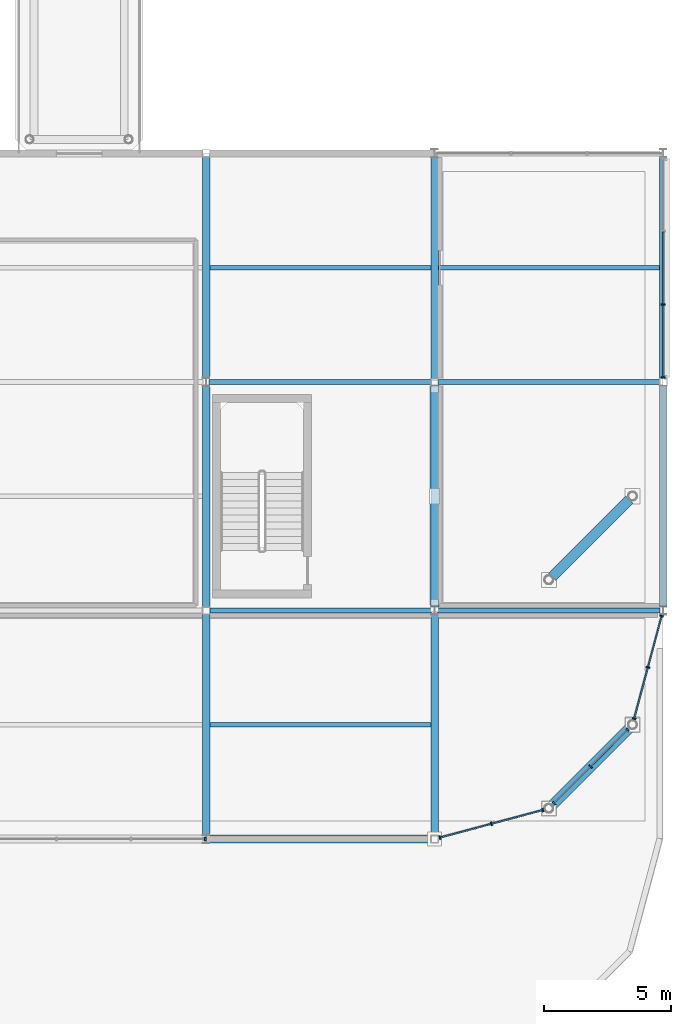
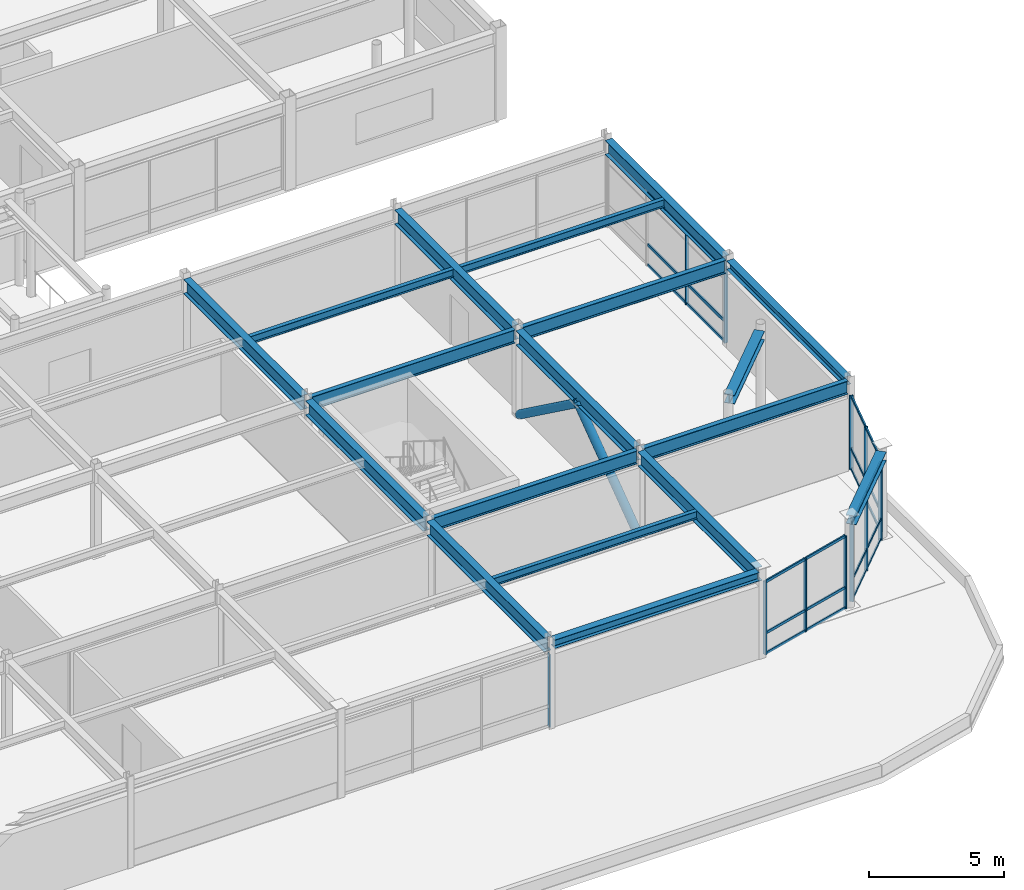
# One storey, part 54 of 108: 38 members, 18 beams, 5 elements without a shape of their own.
"""IFC4 building model written with IfcOpenShell, lengths in metres."""

from ifc_helpers import new_model, si_unit, direction, frame, origin, origin_2d, place, context, subcontext, project, spatial, rectangle, hollow_circle, i_section, extrude, material, material_profile, profile_set, type_object, element, aggregate, save


model = new_model("IFC4")

# Units and contexts
model_context = context("Model", 3, precision=1e-05, world=origin(), true_north=direction((0.0, 1.0)))
body_context = subcontext(model_context, "Body", "Model", "MODEL_VIEW")
ifc_project = project(units=[si_unit("LENGTHUNIT", "METRE"), si_unit("AREAUNIT", "SQUARE_METRE"), si_unit("VOLUMEUNIT", "CUBIC_METRE"), si_unit("PLANEANGLEUNIT", "RADIAN"), si_unit("MASSUNIT", "GRAM", prefix="KILO")], contexts=[model_context])

# Site, building, storey
site_placement = place(None, origin())
site = spatial("IfcSite", under=ifc_project, at=site_placement, CompositionType="ELEMENT")
building_placement = place(site_placement, origin())
building = spatial("IfcBuilding", under=site, at=building_placement, Name="Suzunagisa Mobility Hub", CompositionType="ELEMENT")
storey_placement = place(building_placement, frame((0.0, 0.0, 9.300048828125)))
storey = spatial("IfcBuildingStorey", under=building, at=storey_placement, Name="L02", CompositionType="ELEMENT", Elevation=9.300048828125)

# Curtain wall, members
ifc_material_1 = material(Name="Thermally Broken Anodized Aluminum and Low-E Glazing", Category="aluminium")
curtain_wall_type_1 = type_object("IfcCurtainWallType", Name="Unitised Curtain Wall CW-12 8750x3300", PredefinedType="USERDEFINED", material=ifc_material_1)
curtain_wall_1_placement = place(storey_placement, origin())
curtain_wall_1 = element("IfcCurtainWall", 1, at=curtain_wall_1_placement, inside=storey, type_object=curtain_wall_type_1, Name="L02 Unitised Curtain Wall CW-159", ObjectType="UNITISED CURTAIN WALL", PredefinedType="USERDEFINED")
ifc_material_2 = material(Name="Anodized Aluminum 6063-T6", Category="aluminium")
ifc_material_profile_1 = material_profile(ifc_material_2, rectangle(XDim=0.06494140625, YDim=0.139892578125, at=origin_2d()), Name="TRAN-65x140")
ifc_profile_set_1 = profile_set([ifc_material_profile_1], Name="Anodized Aluminum 6063-T6")
member_type_1 = type_object("IfcMemberType", Name="Curtain Wall Framing CM-01 TRAN-65x140", PredefinedType="USERDEFINED", material=ifc_profile_set_1)
member_1_placement = place(storey_placement, frame((180.0, 27.2080078125, 0.032470703125), z_axis=(0.0, 1.0, 0.0), x_axis=(-1.0, 0.0, 0.0)))
member_1 = element("IfcMember", 2, at=member_1_placement, type_object=member_type_1, Name="Curtain Wall Transom 159-T1.1", ObjectType="TRANSOM", PredefinedType="USERDEFINED", context=body_context, shape_type="SweptSolid", body=[
    extrude(rectangle(XDim=0.06494140625, YDim=0.139892578125, at=origin_2d()), origin(), (0.0, 0.0, 1.0), 2.807373046875),
])
member_2_placement = place(storey_placement, frame((180.0, 27.2080078125, 0.949951171875), z_axis=(0.0, 1.0, 0.0), x_axis=(-1.0, 0.0, 0.0)))
member_2 = element("IfcMember", 3, at=member_2_placement, type_object=member_type_1, Name="Curtain Wall Transom 159-T1.2", ObjectType="TRANSOM", PredefinedType="USERDEFINED", context=body_context, shape_type="SweptSolid", body=[
    extrude(rectangle(XDim=0.06494140625, YDim=0.139892578125, at=origin_2d()), origin(), (0.0, 0.0, 1.0), 2.807373046875),
])
member_3_placement = place(storey_placement, frame((180.0, 27.2080078125, 3.257568359375), z_axis=(0.0, 1.0, 0.0), x_axis=(-1.0, 0.0, 0.0)))
member_3 = element("IfcMember", 4, at=member_3_placement, type_object=member_type_1, Name="Curtain Wall Transom 159-T1.3", ObjectType="TRANSOM", PredefinedType="USERDEFINED", context=body_context, shape_type="SweptSolid", body=[
    extrude(rectangle(XDim=0.06494140625, YDim=0.139892578125, at=origin_2d()), origin(), (0.0, 0.0, 1.0), 2.807373046875),
])
member_4_placement = place(storey_placement, frame((180.0, 30.0712890625, 0.032470703125), z_axis=(0.0, 1.0, 0.0), x_axis=(-1.0, 0.0, 0.0)))
member_4 = element("IfcMember", 5, at=member_4_placement, type_object=member_type_1, Name="Curtain Wall Transom 159-T2.1", ObjectType="TRANSOM", PredefinedType="USERDEFINED", context=body_context, shape_type="SweptSolid", body=[
    extrude(rectangle(XDim=0.06494140625, YDim=0.139892578125, at=origin_2d()), origin(), (0.0, 0.0, 1.0), 2.83740234375),
])
member_5_placement = place(storey_placement, frame((180.0, 30.0712890625, 0.949951171875), z_axis=(0.0, 1.0, 0.0), x_axis=(-1.0, 0.0, 0.0)))
member_5 = element("IfcMember", 6, at=member_5_placement, type_object=member_type_1, Name="Curtain Wall Transom 159-T2.2", ObjectType="TRANSOM", PredefinedType="USERDEFINED", context=body_context, shape_type="SweptSolid", body=[
    extrude(rectangle(XDim=0.06494140625, YDim=0.139892578125, at=origin_2d()), origin(), (0.0, 0.0, 1.0), 2.83740234375),
])
member_6_placement = place(storey_placement, frame((180.0, 30.0712890625, 3.257568359375), z_axis=(0.0, 1.0, 0.0), x_axis=(-1.0, 0.0, 0.0)))
member_6 = element("IfcMember", 7, at=member_6_placement, type_object=member_type_1, Name="Curtain Wall Transom 159-T2.3", ObjectType="TRANSOM", PredefinedType="USERDEFINED", context=body_context, shape_type="SweptSolid", body=[
    extrude(rectangle(XDim=0.06494140625, YDim=0.139892578125, at=origin_2d()), origin(), (0.0, 0.0, 1.0), 2.83740234375),
])

curtain_wall_type_2 = type_object("IfcCurtainWallType", Name="Unitised Curtain Wall CW-06 4250x3300", PredefinedType="USERDEFINED", material=ifc_material_1)
curtain_wall_2_placement = place(storey_placement, origin())
curtain_wall_2 = element("IfcCurtainWall", 8, at=curtain_wall_2_placement, inside=storey, type_object=curtain_wall_type_2, Name="L02 Unitised Curtain Wall CW-156", ObjectType="UNITISED CURTAIN WALL", PredefinedType="USERDEFINED")
ifc_material_profile_2 = material_profile(ifc_material_2, rectangle(XDim=0.06005859375, YDim=0.1201171875, at=origin_2d()), Name="TRAN-60x120")
ifc_profile_set_2 = profile_set([ifc_material_profile_2], Name="Anodized Aluminum 6063-T6")
member_type_2 = type_object("IfcMemberType", Name="Curtain Wall Framing CM-02 TRAN-60x120", PredefinedType="USERDEFINED", material=ifc_profile_set_2)
member_7_placement = place(storey_placement, frame((171.2333984375, 9.0625, 0.030029296875), z_axis=(0.965912839068, 0.258867509208, 0.0), x_axis=(-0.258867509208, 0.965912839068, 0.0)))
member_7 = element("IfcMember", 9, at=member_7_placement, type_object=member_type_2, Name="Curtain Wall Transom 156-T1.1", ObjectType="TRANSOM", PredefinedType="USERDEFINED", context=body_context, shape_type="SweptSolid", body=[
    extrude(rectangle(XDim=0.06005859375, YDim=0.1201171875, at=origin_2d()), origin(), (0.0, 0.0, 1.0), 2.042724609375),
])
member_8_placement = place(storey_placement, frame((171.2333984375, 9.0625, 0.949951171875), z_axis=(0.965912839068, 0.258867509208, 0.0), x_axis=(-0.258867509208, 0.965912839068, 0.0)))
member_8 = element("IfcMember", 10, at=member_8_placement, type_object=member_type_2, Name="Curtain Wall Transom 156-T1.2", ObjectType="TRANSOM", PredefinedType="USERDEFINED", context=body_context, shape_type="SweptSolid", body=[
    extrude(rectangle(XDim=0.06005859375, YDim=0.1201171875, at=origin_2d()), origin(), (0.0, 0.0, 1.0), 2.042724609375),
])
member_9_placement = place(storey_placement, frame((171.2333984375, 9.0625, 3.260009765625), z_axis=(0.965912839068, 0.258867509208, 0.0), x_axis=(-0.258867509208, 0.965912839068, 0.0)))
member_9 = element("IfcMember", 11, at=member_9_placement, type_object=member_type_2, Name="Curtain Wall Transom 156-T1.3", ObjectType="TRANSOM", PredefinedType="USERDEFINED", context=body_context, shape_type="SweptSolid", body=[
    extrude(rectangle(XDim=0.06005859375, YDim=0.1201171875, at=origin_2d()), origin(), (0.0, 0.0, 1.0), 2.042724609375),
])
member_10_placement = place(storey_placement, frame((173.260498046875, 9.605712890625, 0.030029296875), z_axis=(0.965912839068, 0.258867509208, 0.0), x_axis=(-0.258867509208, 0.965912839068, 0.0)))
member_10 = element("IfcMember", 12, at=member_10_placement, type_object=member_type_2, Name="Curtain Wall Transom 156-T2.1", ObjectType="TRANSOM", PredefinedType="USERDEFINED", context=body_context, shape_type="SweptSolid", body=[
    extrude(rectangle(XDim=0.06005859375, YDim=0.1201171875, at=origin_2d()), origin(), (0.0, 0.0, 1.0), 2.042724609375),
])
member_11_placement = place(storey_placement, frame((173.260498046875, 9.605712890625, 0.949951171875), z_axis=(0.965912839068, 0.258867509208, 0.0), x_axis=(-0.258867509208, 0.965912839068, 0.0)))
member_11 = element("IfcMember", 13, at=member_11_placement, type_object=member_type_2, Name="Curtain Wall Transom 156-T2.2", ObjectType="TRANSOM", PredefinedType="USERDEFINED", context=body_context, shape_type="SweptSolid", body=[
    extrude(rectangle(XDim=0.06005859375, YDim=0.1201171875, at=origin_2d()), origin(), (0.0, 0.0, 1.0), 2.042724609375),
])
member_12_placement = place(storey_placement, frame((173.260498046875, 9.605712890625, 3.260009765625), z_axis=(0.965912839068, 0.258867509208, 0.0), x_axis=(-0.258867509208, 0.965912839068, 0.0)))
member_12 = element("IfcMember", 14, at=member_12_placement, type_object=member_type_2, Name="Curtain Wall Transom 156-T2.3", ObjectType="TRANSOM", PredefinedType="USERDEFINED", context=body_context, shape_type="SweptSolid", body=[
    extrude(rectangle(XDim=0.06005859375, YDim=0.1201171875, at=origin_2d()), origin(), (0.0, 0.0, 1.0), 2.042724609375),
])

curtain_wall_type_3 = type_object("IfcCurtainWallType", Name="Unitised Curtain Wall CW-24 4250x3500", PredefinedType="USERDEFINED", material=ifc_material_1)
curtain_wall_3_placement = place(storey_placement, origin())
curtain_wall_3 = element("IfcCurtainWall", 15, at=curtain_wall_3_placement, inside=storey, type_object=curtain_wall_type_3, Name="L02 Unitised Curtain Wall CW-157", ObjectType="UNITISED CURTAIN WALL", PredefinedType="USERDEFINED")
member_13_placement = place(storey_placement, frame((175.71875, 10.424560546875, 0.030029296875), z_axis=(0.707106781187, 0.707106781187, 0.0), x_axis=(-0.707106781187, 0.707106781187, 0.0)))
member_13 = element("IfcMember", 16, at=member_13_placement, type_object=member_type_2, Name="Curtain Wall Transom 157-T1.1", ObjectType="TRANSOM", PredefinedType="USERDEFINED", context=body_context, shape_type="SweptSolid", body=[
    extrude(rectangle(XDim=0.06005859375, YDim=0.1201171875, at=origin_2d()), origin(), (0.0, 0.0, 1.0), 1.991943359375),
])
member_14_placement = place(storey_placement, frame((175.71875, 10.424560546875, 0.949951171875), z_axis=(0.707106781187, 0.707106781187, 0.0), x_axis=(-0.707106781187, 0.707106781187, 0.0)))
member_14 = element("IfcMember", 17, at=member_14_placement, type_object=member_type_2, Name="Curtain Wall Transom 157-T1.2", ObjectType="TRANSOM", PredefinedType="USERDEFINED", context=body_context, shape_type="SweptSolid", body=[
    extrude(rectangle(XDim=0.06005859375, YDim=0.1201171875, at=origin_2d()), origin(), (0.0, 0.0, 1.0), 1.991943359375),
])
member_15_placement = place(storey_placement, frame((175.71875, 10.424560546875, 3.510009765625), z_axis=(0.707106781187, 0.707106781187, 0.0), x_axis=(-0.707106781187, 0.707106781187, 0.0)))
member_15 = element("IfcMember", 18, at=member_15_placement, type_object=member_type_2, Name="Curtain Wall Transom 157-T1.3", ObjectType="TRANSOM", PredefinedType="USERDEFINED", context=body_context, shape_type="SweptSolid", body=[
    extrude(rectangle(XDim=0.06005859375, YDim=0.1201171875, at=origin_2d()), origin(), (0.0, 0.0, 1.0), 1.991943359375),
])
member_16_placement = place(storey_placement, frame((177.1669921875, 11.872802734375, 0.030029296875), z_axis=(0.707106781187, 0.707106781187, 0.0), x_axis=(-0.707106781187, 0.707106781187, 0.0)))
member_16 = element("IfcMember", 19, at=member_16_placement, type_object=member_type_2, Name="Curtain Wall Transom 157-T2.1", ObjectType="TRANSOM", PredefinedType="USERDEFINED", context=body_context, shape_type="SweptSolid", body=[
    extrude(rectangle(XDim=0.06005859375, YDim=0.1201171875, at=origin_2d()), origin(), (0.0, 0.0, 1.0), 1.991943359375),
])
member_17_placement = place(storey_placement, frame((177.1669921875, 11.872802734375, 0.949951171875), z_axis=(0.707106781187, 0.707106781187, 0.0), x_axis=(-0.707106781187, 0.707106781187, 0.0)))
member_17 = element("IfcMember", 20, at=member_17_placement, type_object=member_type_2, Name="Curtain Wall Transom 157-T2.2", ObjectType="TRANSOM", PredefinedType="USERDEFINED", context=body_context, shape_type="SweptSolid", body=[
    extrude(rectangle(XDim=0.06005859375, YDim=0.1201171875, at=origin_2d()), origin(), (0.0, 0.0, 1.0), 1.991943359375),
])
member_18_placement = place(storey_placement, frame((177.1669921875, 11.872802734375, 3.510009765625), z_axis=(0.707106781187, 0.707106781187, 0.0), x_axis=(-0.707106781187, 0.707106781187, 0.0)))
member_18 = element("IfcMember", 21, at=member_18_placement, type_object=member_type_2, Name="Curtain Wall Transom 157-T2.3", ObjectType="TRANSOM", PredefinedType="USERDEFINED", context=body_context, shape_type="SweptSolid", body=[
    extrude(rectangle(XDim=0.06005859375, YDim=0.1201171875, at=origin_2d()), origin(), (0.0, 0.0, 1.0), 1.991943359375),
])

curtain_wall_4_placement = place(storey_placement, origin())
curtain_wall_4 = element("IfcCurtainWall", 22, at=curtain_wall_4_placement, inside=storey, type_object=curtain_wall_type_2, Name="L02 Unitised Curtain Wall CW-158", ObjectType="UNITISED CURTAIN WALL", PredefinedType="USERDEFINED")
member_19_placement = place(storey_placement, frame((178.865478515625, 13.766357421875, 0.030029296875), z_axis=(0.258863938159, 0.965913796113, 0.0), x_axis=(-0.965913796113, 0.258863938159, 0.0)))
member_19 = element("IfcMember", 23, at=member_19_placement, type_object=member_type_2, Name="Curtain Wall Transom 158-T1.1", ObjectType="TRANSOM", PredefinedType="USERDEFINED", context=body_context, shape_type="SweptSolid", body=[
    extrude(rectangle(XDim=0.06005859375, YDim=0.1201171875, at=origin_2d()), origin(), (0.0, 0.0, 1.0), 2.0361328125),
])
member_20_placement = place(storey_placement, frame((178.865478515625, 13.766357421875, 0.949951171875), z_axis=(0.258863938159, 0.965913796113, 0.0), x_axis=(-0.965913796113, 0.258863938159, 0.0)))
member_20 = element("IfcMember", 24, at=member_20_placement, type_object=member_type_2, Name="Curtain Wall Transom 158-T1.2", ObjectType="TRANSOM", PredefinedType="USERDEFINED", context=body_context, shape_type="SweptSolid", body=[
    extrude(rectangle(XDim=0.06005859375, YDim=0.1201171875, at=origin_2d()), origin(), (0.0, 0.0, 1.0), 2.0361328125),
])
member_21_placement = place(storey_placement, frame((178.865478515625, 13.766357421875, 3.31005859375), z_axis=(0.258863938159, 0.965913796113, 0.0), x_axis=(-0.965913796113, 0.258863938159, 0.0)))
member_21 = element("IfcMember", 25, at=member_21_placement, type_object=member_type_2, Name="Curtain Wall Transom 158-T1.3", ObjectType="TRANSOM", PredefinedType="USERDEFINED", context=body_context, shape_type="SweptSolid", body=[
    extrude(rectangle(XDim=0.06005859375, YDim=0.1201171875, at=origin_2d()), origin(), (0.0, 0.0, 1.0), 2.0361328125),
])
member_22_placement = place(storey_placement, frame((179.406982421875, 15.787109375, 0.030029296875), z_axis=(0.258863938159, 0.965913796113, 0.0), x_axis=(-0.965913796113, 0.258863938159, 0.0)))
member_22 = element("IfcMember", 26, at=member_22_placement, type_object=member_type_2, Name="Curtain Wall Transom 158-T2.1", ObjectType="TRANSOM", PredefinedType="USERDEFINED", context=body_context, shape_type="SweptSolid", body=[
    extrude(rectangle(XDim=0.06005859375, YDim=0.1201171875, at=origin_2d()), origin(), (0.0, 0.0, 1.0), 2.0361328125),
])
member_23_placement = place(storey_placement, frame((179.406982421875, 15.787109375, 0.949951171875), z_axis=(0.258863938159, 0.965913796113, 0.0), x_axis=(-0.965913796113, 0.258863938159, 0.0)))
member_23 = element("IfcMember", 27, at=member_23_placement, type_object=member_type_2, Name="Curtain Wall Transom 158-T2.2", ObjectType="TRANSOM", PredefinedType="USERDEFINED", context=body_context, shape_type="SweptSolid", body=[
    extrude(rectangle(XDim=0.06005859375, YDim=0.1201171875, at=origin_2d()), origin(), (0.0, 0.0, 1.0), 2.0361328125),
])
member_24_placement = place(storey_placement, frame((179.406982421875, 15.787109375, 3.31005859375), z_axis=(0.258863938159, 0.965913796113, 0.0), x_axis=(-0.965913796113, 0.258863938159, 0.0)))
member_24 = element("IfcMember", 28, at=member_24_placement, type_object=member_type_2, Name="Curtain Wall Transom 158-T2.3", ObjectType="TRANSOM", PredefinedType="USERDEFINED", context=body_context, shape_type="SweptSolid", body=[
    extrude(rectangle(XDim=0.06005859375, YDim=0.1201171875, at=origin_2d()), origin(), (0.0, 0.0, 1.0), 2.0361328125),
])

# Curtain wall, member
curtain_wall_5_placement = place(storey_placement, origin())
curtain_wall_5 = element("IfcCurtainWall", 29, at=curtain_wall_5_placement, inside=storey, type_object=curtain_wall_type_1, Name="L02 Unitised Curtain Wall CW-155", ObjectType="UNITISED CURTAIN WALL", PredefinedType="USERDEFINED")
ifc_material_profile_3 = material_profile(ifc_material_2, rectangle(XDim=0.06005859375, YDim=0.14990234375, at=origin_2d()), Name="MULL-60x150")
ifc_profile_set_3 = profile_set([ifc_material_profile_3], Name="Anodized Aluminum 6063-T6")
member_type_3 = type_object("IfcMemberType", Name="Curtain Wall Framing CM-03 MULL-60x150", PredefinedType="MULLION", material=ifc_profile_set_3)
member_25_placement = place(storey_placement, frame((161.965576171875, 9.0, 0.0), z_axis=(0.0, 0.0, 1.0), x_axis=(1.0, 0.0, 0.0)))
member_25 = element("IfcMember", 30, at=member_25_placement, type_object=member_type_3, Name="Curtain Wall Mullion 155-M4", PredefinedType="MULLION", context=body_context, shape_type="SweptSolid", body=[
    extrude(rectangle(XDim=0.06005859375, YDim=0.14990234375, at=origin_2d()), origin(), (0.0, 0.0, 1.0), 3.2900390625),
])
aggregate(curtain_wall_5, [member_25])

# Member
member_26_placement = place(storey_placement, frame((171.20654296875, 9.055419921875, 0.0), z_axis=(0.0, 0.0, 1.0), x_axis=(0.96592351662, 0.258827664752, 0.0)))
member_26 = element("IfcMember", 31, at=member_26_placement, type_object=member_type_3, Name="Curtain Wall Mullion 156-M1", PredefinedType="MULLION", context=body_context, shape_type="SweptSolid", body=[
    extrude(rectangle(XDim=0.06005859375, YDim=0.14990234375, at=origin_2d()), origin(), (0.0, 0.0, 1.0), 3.2900390625),
])

member_27_placement = place(storey_placement, frame((173.233642578125, 9.598388671875, 0.0), z_axis=(0.0, 0.0, 1.0), x_axis=(0.96592351662, 0.258827664752, 0.0)))
member_27 = element("IfcMember", 32, at=member_27_placement, type_object=member_type_3, Name="Curtain Wall Mullion 156-M2", PredefinedType="MULLION", context=body_context, shape_type="SweptSolid", body=[
    extrude(rectangle(XDim=0.06005859375, YDim=0.14990234375, at=origin_2d()), origin(), (0.0, 0.0, 1.0), 3.2900390625),
])

member_28_placement = place(storey_placement, frame((175.2607421875, 10.1416015625, 0.0), z_axis=(0.0, 0.0, 1.0), x_axis=(0.96592351662, 0.258827664752, 0.0)))
member_28 = element("IfcMember", 33, at=member_28_placement, type_object=member_type_3, Name="Curtain Wall Mullion 156-M3", PredefinedType="MULLION", context=body_context, shape_type="SweptSolid", body=[
    extrude(rectangle(XDim=0.06005859375, YDim=0.14990234375, at=origin_2d()), origin(), (0.0, 0.0, 1.0), 3.2900390625),
])

aggregate(curtain_wall_2, [member_26, member_27, member_28, member_7, member_8, member_9, member_10, member_11, member_12])

member_29_placement = place(storey_placement, frame((175.698974609375, 10.40478515625, 0.0), z_axis=(0.0, 0.0, 1.0), x_axis=(0.707106781187, 0.707106781187, 0.0)))
member_29 = element("IfcMember", 34, at=member_29_placement, type_object=member_type_3, Name="Curtain Wall Mullion 157-M1", PredefinedType="MULLION", context=body_context, shape_type="SweptSolid", body=[
    extrude(rectangle(XDim=0.06005859375, YDim=0.14990234375, at=origin_2d()), origin(), (0.0, 0.0, 1.0), 3.5400390625),
])

member_30_placement = place(storey_placement, frame((177.147216796875, 11.852783203125, 0.0), z_axis=(0.0, 0.0, 1.0), x_axis=(0.707106781187, 0.707106781187, 0.0)))
member_30 = element("IfcMember", 35, at=member_30_placement, type_object=member_type_3, Name="Curtain Wall Mullion 157-M2", PredefinedType="MULLION", context=body_context, shape_type="SweptSolid", body=[
    extrude(rectangle(XDim=0.06005859375, YDim=0.14990234375, at=origin_2d()), origin(), (0.0, 0.0, 1.0), 3.5400390625),
])

member_31_placement = place(storey_placement, frame((178.59521484375, 13.301025390625, 0.0), z_axis=(0.0, 0.0, 1.0), x_axis=(0.707106781187, 0.707106781187, 0.0)))
member_31 = element("IfcMember", 36, at=member_31_placement, type_object=member_type_3, Name="Curtain Wall Mullion 157-M3", PredefinedType="MULLION", context=body_context, shape_type="SweptSolid", body=[
    extrude(rectangle(XDim=0.06005859375, YDim=0.14990234375, at=origin_2d()), origin(), (0.0, 0.0, 1.0), 3.5400390625),
])

aggregate(curtain_wall_3, [member_29, member_30, member_31, member_13, member_14, member_15, member_16, member_17, member_18])

member_32_placement = place(storey_placement, frame((178.8583984375, 13.7392578125, 0.0), z_axis=(0.0, 0.0, 1.0), x_axis=(0.258810670101, 0.965928070325, 0.0)))
member_32 = element("IfcMember", 37, at=member_32_placement, type_object=member_type_3, Name="Curtain Wall Mullion 158-M1", PredefinedType="MULLION", context=body_context, shape_type="SweptSolid", body=[
    extrude(rectangle(XDim=0.06005859375, YDim=0.14990234375, at=origin_2d()), origin(), (0.0, 0.0, 1.0), 3.33984375),
])

member_33_placement = place(storey_placement, frame((179.39990234375, 15.76025390625, 0.0), z_axis=(0.0, 0.0, 1.0), x_axis=(0.258810670101, 0.965928070325, 0.0)))
member_33 = element("IfcMember", 38, at=member_33_placement, type_object=member_type_3, Name="Curtain Wall Mullion 158-M2", PredefinedType="MULLION", context=body_context, shape_type="SweptSolid", body=[
    extrude(rectangle(XDim=0.06005859375, YDim=0.14990234375, at=origin_2d()), origin(), (0.0, 0.0, 1.0), 3.33984375),
])

member_34_placement = place(storey_placement, frame((179.94140625, 17.781005859375, 0.0), z_axis=(0.0, 0.0, 1.0), x_axis=(0.258810670101, 0.965928070325, 0.0)))
member_34 = element("IfcMember", 39, at=member_34_placement, type_object=member_type_3, Name="Curtain Wall Mullion 158-M3", PredefinedType="MULLION", context=body_context, shape_type="SweptSolid", body=[
    extrude(rectangle(XDim=0.06005859375, YDim=0.14990234375, at=origin_2d()), origin(), (0.0, 0.0, 1.0), 3.33984375),
])

aggregate(curtain_wall_4, [member_32, member_33, member_34, member_19, member_20, member_21, member_22, member_23, member_24])

member_35_placement = place(storey_placement, frame((180.0, 27.179931640625, 0.0), z_axis=(0.0, 0.0, 1.0), x_axis=(0.0, 1.0, 0.0)))
member_35 = element("IfcMember", 40, at=member_35_placement, type_object=member_type_3, Name="Curtain Wall Mullion 159-M1", PredefinedType="MULLION", context=body_context, shape_type="SweptSolid", body=[
    extrude(rectangle(XDim=0.06005859375, YDim=0.14990234375, at=origin_2d()), origin(), (0.0, 0.0, 1.0), 3.2900390625),
])

member_36_placement = place(storey_placement, frame((180.0, 30.043212890625, 0.0), z_axis=(0.0, 0.0, 1.0), x_axis=(0.0, 1.0, 0.0)))
member_36 = element("IfcMember", 41, at=member_36_placement, type_object=member_type_3, Name="Curtain Wall Mullion 159-M2", PredefinedType="MULLION", context=body_context, shape_type="SweptSolid", body=[
    extrude(rectangle(XDim=0.06005859375, YDim=0.14990234375, at=origin_2d()), origin(), (0.0, 0.0, 1.0), 3.2900390625),
])

aggregate(curtain_wall_1, [member_35, member_36, member_1, member_2, member_3, member_4, member_5, member_6])

# Members
ifc_material_3 = material(Name="Steel SN490B", Category="steel")
ifc_material_profile_4 = material_profile(ifc_material_3, hollow_circle(Radius=0.177734375, WallThickness=0.0126953125, at=origin_2d()), Name="CHS-355.6x12.7")
ifc_profile_set_4 = profile_set([ifc_material_profile_4], Name="Steel SN490B")
member_type_4 = type_object("IfcMemberType", Name="Roof Truss and Brace Member MB-03 CHS-355.6x12.7", PredefinedType="BRACE", material=ifc_profile_set_4)
member_37_placement = place(storey_placement, frame((171.0, 18.18994140625, 0.119873046875), z_axis=(0.0, 0.806824697029, 0.590790917554), x_axis=(-1.0, 0.0, 0.0)))
element("IfcMember", 42, at=member_37_placement, inside=storey, type_object=member_type_4, Name="L02 Concentric Lateral Brace BR-57", PredefinedType="BRACE", context=body_context, shape_type="SweptSolid", body=[
    extrude(hollow_circle(Radius=0.177734375, WallThickness=0.0126953125, at=origin_2d()), origin(), (0.0, 0.0, 1.0), 5.342041015625),
])
member_38_placement = place(storey_placement, frame((171.0, 26.830078125, 0.119873046875), z_axis=(0.0, -0.80812681467, 0.589008532546), x_axis=(1.0, 0.0, 0.0)))
element("IfcMember", 43, at=member_38_placement, inside=storey, type_object=member_type_4, Name="L02 Concentric Lateral Brace BR-58", PredefinedType="BRACE", context=body_context, shape_type="SweptSolid", body=[
    extrude(hollow_circle(Radius=0.177734375, WallThickness=0.0126953125, at=origin_2d()), origin(), (0.0, 0.0, 1.0), 5.358154296875),
])

# Beams
ifc_material_4 = material(Name="Steel SN400B", Category="steel")
ifc_material_profile_5 = material_profile(ifc_material_4, i_section(OverallWidth=0.175048828125, OverallDepth=0.35009765625, WebThickness=0.007080078125, FlangeThickness=0.010986328125, FilletRadius=0.008056640625, at=origin_2d()), Name="H-350x175x7x11")
ifc_profile_set_5 = profile_set([ifc_material_profile_5], Name="Steel SN400B")
beam_type_1 = type_object("IfcBeamType", Name="Steel Beam BM-03 H-350x175x7x11", PredefinedType="JOIST", material=ifc_profile_set_5)
for number, where, z_axis, x_axis, name in (
    (44, (162.14990234375, 31.5, 3.77490234375), (1.0, 0.0, 0.0), (0.0, 1.0, 0.0), "L02 Composite Floor Joist J-1566"),
    (45, (171.14990234375, 31.5, 3.77490234375), (1.0, 0.0, 0.0), (0.0, 1.0, 0.0), "L02 Composite Floor Joist J-1567"),
    (46, (162.14990234375, 13.5, 3.764892578125), (1.0, 0.0, 0.0), (0.0, 1.0, 0.0), "L02 Composite Floor Joist J-1583"),
):
    element("IfcBeam", number, at=place(storey_placement, frame(where, z_axis=z_axis, x_axis=x_axis)), inside=storey, type_object=beam_type_1, Name=name, PredefinedType="JOIST", context=body_context, shape_type="SweptSolid", body=[
        extrude(i_section(OverallWidth=0.175048828125, OverallDepth=0.35009765625, WebThickness=0.007080078125, FlangeThickness=0.010986328125, FilletRadius=0.008056640625, at=origin_2d()), origin(), (0.0, 0.0, 1.0), 8.7001953125),
    ])
ifc_material_profile_6 = material_profile(ifc_material_3, i_section(OverallWidth=0.199951171875, OverallDepth=0.60009765625, WebThickness=0.010986328125, FlangeThickness=0.01708984375, FilletRadius=0.012939453125, at=origin_2d()), Name="H-600x200x11x17")
ifc_profile_set_6 = profile_set([ifc_material_profile_6], Name="Steel SN490B")
beam_type_2 = type_object("IfcBeamType", Name="Steel Beam BM-07 H-600x200x11x17", PredefinedType="BEAM", material=ifc_profile_set_6)
for number, where, z_axis, x_axis, name in (
    (47, (162.14599609375, 18.0, 3.639892578125), (1.0, 0.0, 0.0), (0.0, 1.0, 0.0), "L02 Primary Girder GX-1538"),
    (48, (162.12109375, 27.0, 3.64990234375), (1.0, 0.0, 0.0), (0.0, 1.0, 0.0), "L02 Primary Girder GX-1542"),
):
    element("IfcBeam", number, at=place(storey_placement, frame(where, z_axis=z_axis, x_axis=x_axis)), inside=storey, type_object=beam_type_2, Name=name, PredefinedType="BEAM", context=body_context, shape_type="SweptSolid", body=[
        extrude(i_section(OverallWidth=0.199951171875, OverallDepth=0.60009765625, WebThickness=0.010986328125, FlangeThickness=0.01708984375, FilletRadius=0.012939453125, at=origin_2d()), origin(), (0.0, 0.0, 1.0), 8.73291015625),
    ])
beam_1_placement = place(storey_placement, frame((171.14599609375, 27.0, 3.639892578125), z_axis=(1.0, 0.0, 0.0), x_axis=(0.0, 1.0, 0.0)))
element("IfcBeam", 49, at=beam_1_placement, inside=storey, type_object=beam_type_2, Name="L02 Primary Girder GX-1543", PredefinedType="BEAM", context=body_context, shape_type="SweptSolid", body=[
    extrude(i_section(OverallWidth=0.199951171875, OverallDepth=0.60009765625, WebThickness=0.010986328125, FlangeThickness=0.01708984375, FilletRadius=0.012939453125, at=origin_2d()), origin(), (0.0, 0.0, 1.0), 8.7080078125),
])
beam_2_placement = place(storey_placement, frame((171.12109375, 18.0, 3.639892578125), z_axis=(1.0, 0.0, 0.0), x_axis=(0.0, 1.0, 0.0)))
element("IfcBeam", 50, at=beam_2_placement, inside=storey, type_object=beam_type_2, Name="L02 Primary Girder GX-1572", PredefinedType="BEAM", context=body_context, shape_type="SweptSolid", body=[
    extrude(i_section(OverallWidth=0.199951171875, OverallDepth=0.60009765625, WebThickness=0.010986328125, FlangeThickness=0.01708984375, FilletRadius=0.012939453125, at=origin_2d()), origin(), (0.0, 0.0, 1.0), 8.7578125),
])
ifc_material_profile_7 = material_profile(ifc_material_3, i_section(OverallWidth=0.300048828125, OverallDepth=0.64990234375, WebThickness=0.012939453125, FlangeThickness=0.02197265625, FilletRadius=0.01611328125, at=origin_2d()), Name="H-650x300x13x22")
ifc_profile_set_7 = profile_set([ifc_material_profile_7], Name="Steel SN490B")
beam_type_3 = type_object("IfcBeamType", Name="Steel Beam BM-10 H-650x300x13x22", PredefinedType="BEAM", material=ifc_profile_set_7)
for number, where, z_axis, x_axis, name in (
    (51, (162.0, 18.14599609375, 3.614990234375), (0.0, 1.0, 0.0), (-1.0, 0.0, 0.0), "L02 Primary Girder GY-1555"),
    (52, (162.0, 27.166015625, 3.625), (0.0, 1.0, 0.0), (-1.0, 0.0, 0.0), "L02 Primary Girder GY-1556"),
    (53, (171.0, 18.166015625, 3.614990234375), (0.0, 1.0, 0.0), (-1.0, 0.0, 0.0), "L02 Primary Girder GY-1557"),
    (54, (171.0, 27.14599609375, 3.625), (0.0, 1.0, 0.0), (-1.0, 0.0, 0.0), "L02 Primary Girder GY-1558"),
    (55, (180.0, 27.14599609375, 3.614990234375), (0.0, 1.0, 0.0), (-1.0, 0.0, 0.0), "L02 Primary Girder GY-1559"),
    (56, (162.0, 9.166015625, 3.614990234375), (0.0, 1.0, 0.0), (-1.0, 0.0, 0.0), "L02 Primary Girder GY-1576"),
    (57, (171.0, 9.14599609375, 3.614990234375), (0.0, 1.0, 0.0), (-1.0, 0.0, 0.0), "L02 Primary Girder GY-1577"),
):
    element("IfcBeam", number, at=place(storey_placement, frame(where, z_axis=z_axis, x_axis=x_axis)), inside=storey, type_object=beam_type_3, Name=name, PredefinedType="BEAM", context=body_context, shape_type="SweptSolid", body=[
        extrude(i_section(OverallWidth=0.300048828125, OverallDepth=0.64990234375, WebThickness=0.012939453125, FlangeThickness=0.02197265625, FilletRadius=0.01611328125, at=origin_2d()), origin(), (0.0, 0.0, 1.0), 8.68798828125),
    ])
ifc_material_profile_8 = material_profile(ifc_material_3, i_section(OverallWidth=0.39990234375, OverallDepth=0.39990234375, WebThickness=0.012939453125, FlangeThickness=0.02099609375, FilletRadius=0.01611328125, at=origin_2d()), Name="H-400x400x13x21")
ifc_profile_set_8 = profile_set([ifc_material_profile_8], Name="Steel SN490B")
beam_type_4 = type_object("IfcBeamType", Name="Steel Beam BM-12 H-400x400x13x21", PredefinedType="SPANDREL", material=ifc_profile_set_8)
for number, where, z_axis, x_axis, name in (
    (58, (175.625732421875, 19.33154296875, 3.739990234375), (0.707106781187, 0.707106781187, 0.0), (-0.707106781187, 0.707106781187, 0.0), "L02 Streamline Prow Spandrel 1560"),
    (59, (175.625732421875, 10.33154296875, 3.739990234375), (0.707106781187, 0.707106781187, 0.0), (-0.707106781187, 0.707106781187, 0.0), "L02 Streamline Prow Spandrel 1579"),
):
    element("IfcBeam", number, at=place(storey_placement, frame(where, z_axis=z_axis, x_axis=x_axis)), inside=storey, type_object=beam_type_4, Name=name, PredefinedType="SPANDREL", context=body_context, shape_type="SweptSolid", body=[
        extrude(i_section(OverallWidth=0.39990234375, OverallDepth=0.39990234375, WebThickness=0.012939453125, FlangeThickness=0.02099609375, FilletRadius=0.01611328125, at=origin_2d()), origin(), (0.0, 0.0, 1.0), 4.302978515625),
    ])
ifc_material_profile_9 = material_profile(ifc_material_3, i_section(OverallWidth=0.300048828125, OverallDepth=0.389892578125, WebThickness=0.010009765625, FlangeThickness=0.01611328125, FilletRadius=0.012939453125, at=origin_2d()), Name="H-390x300x10x16")
ifc_profile_set_9 = profile_set([ifc_material_profile_9], Name="Steel SN490B")
beam_type_5 = type_object("IfcBeamType", Name="Steel Beam BM-13 H-390x300x10x16", PredefinedType="SPANDREL", material=ifc_profile_set_9)
beam_3_placement = place(storey_placement, frame((162.12109375, 9.0, 3.744873046875), z_axis=(1.0, 0.0, 0.0), x_axis=(0.0, 1.0, 0.0)))
element("IfcBeam", 60, at=beam_3_placement, inside=storey, type_object=beam_type_5, Name="L02 Primary Girder GX-1571", PredefinedType="SPANDREL", context=body_context, shape_type="SweptSolid", body=[
    extrude(i_section(OverallWidth=0.300048828125, OverallDepth=0.389892578125, WebThickness=0.010009765625, FlangeThickness=0.01611328125, FilletRadius=0.012939453125, at=origin_2d()), origin(), (0.0, 0.0, 1.0), 8.73291015625),
])
beam_4_placement = place(storey_placement, frame((180.0, 18.166015625, 3.744873046875), z_axis=(0.0, 1.0, 0.0), x_axis=(-1.0, 0.0, 0.0)))
element("IfcBeam", 61, at=beam_4_placement, inside=storey, type_object=beam_type_5, Name="L02 Primary Girder GY-1578", PredefinedType="SPANDREL", context=body_context, shape_type="SweptSolid", body=[
    extrude(i_section(OverallWidth=0.300048828125, OverallDepth=0.389892578125, WebThickness=0.010009765625, FlangeThickness=0.01611328125, FilletRadius=0.012939453125, at=origin_2d()), origin(), (0.0, 0.0, 1.0), 8.68798828125),
])

save(model, "model.ifc")
